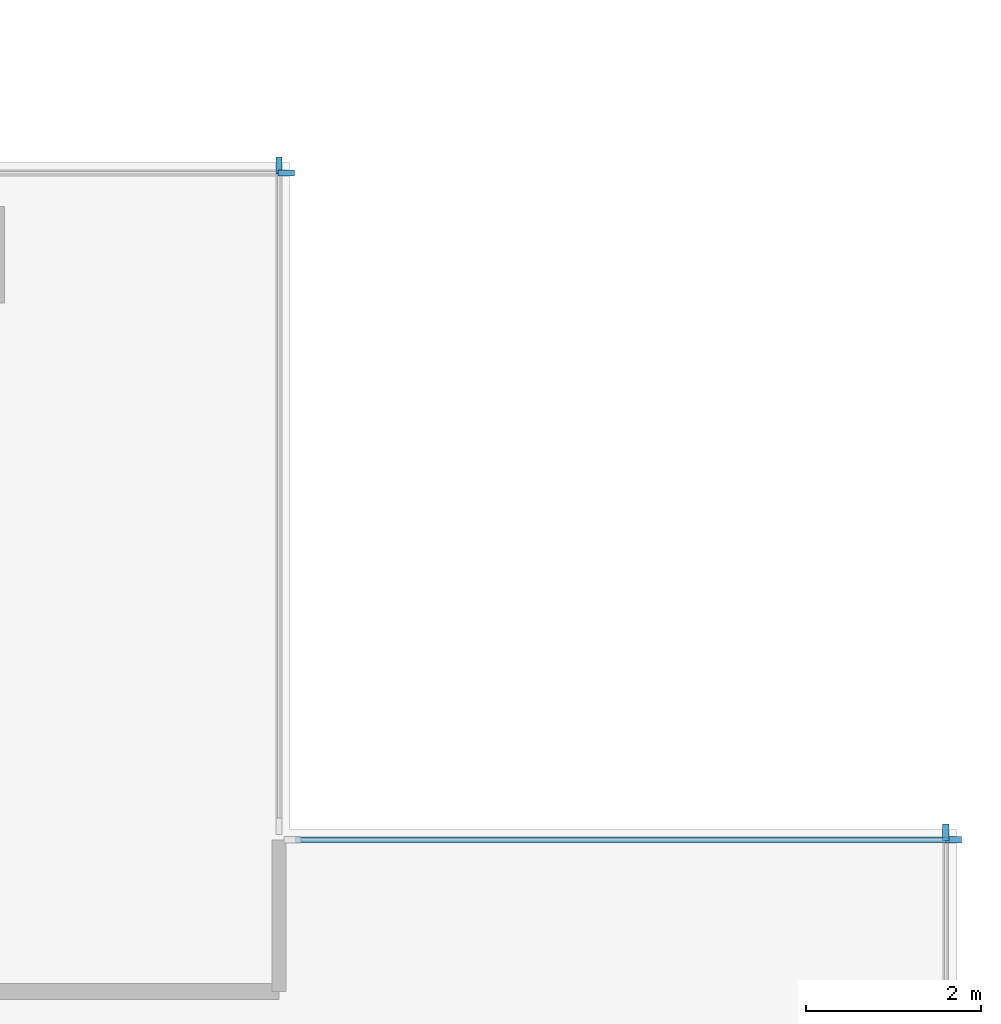
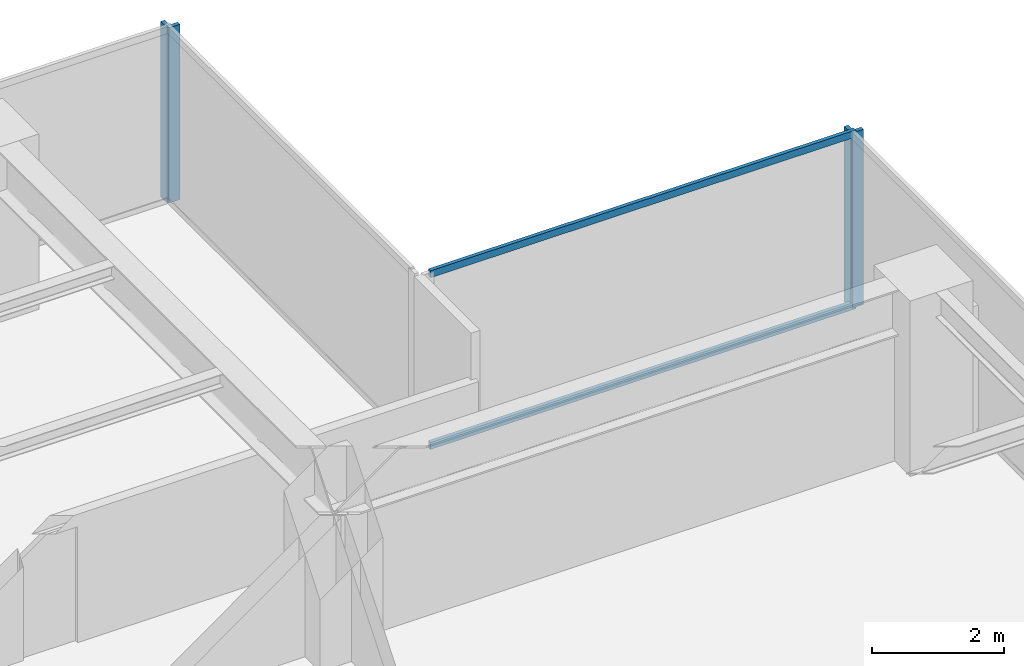
# One storey, part 5 of 14: 6 members, 4 elements without a shape of their own.
"""IFC4 building model written with IfcOpenShell, lengths in metres."""

from ifc_helpers import new_model, si_unit, direction, frame, origin, origin_2d, place, context, subcontext, project, spatial, rectangle, extrude, material, layer, layer_set, material_profile, profile_set, type_object, element, aggregate, save


model = new_model("IFC4")

# Units and contexts
model_context = context("Model", 3, precision=1e-05, world=origin(), true_north=direction((0.0, 1.0)))
body_context = subcontext(model_context, "Body", "Model", "MODEL_VIEW")
ifc_project = project(units=[si_unit("LENGTHUNIT", "METRE"), si_unit("AREAUNIT", "SQUARE_METRE"), si_unit("VOLUMEUNIT", "CUBIC_METRE"), si_unit("PLANEANGLEUNIT", "RADIAN"), si_unit("MASSUNIT", "GRAM", prefix="KILO")], contexts=[model_context])

# Site, building, storey
site_placement = place(None, origin())
site = spatial("IfcSite", under=ifc_project, at=site_placement, CompositionType="ELEMENT")
building_placement = place(site_placement, origin())
building = spatial("IfcBuilding", under=site, at=building_placement, Name="Qalmaran Belvedere Hotel", CompositionType="ELEMENT")
storey_placement = place(building_placement, frame((0.0, 0.0, 177.10009765625)))
storey = spatial("IfcBuildingStorey", under=building, at=storey_placement, Name="L45", CompositionType="ELEMENT", Elevation=177.10009765625)

# Curtain wall, member
ifc_material = material(Name="Anodised Bronze Aluminium", Category="aluminium")
ifc_layer = layer(ifc_material, 0.195068359375, Name="Anodised Bronze Aluminium")
ifc_layer_set = layer_set([ifc_layer], Name="Anodised Bronze Aluminium")
curtain_wall_type = type_object("IfcCurtainWallType", Name="CW4-TOWER-HIGHMID", PredefinedType="NOTDEFINED", material=ifc_layer_set)
curtain_wall_1_placement = place(storey_placement, origin())
curtain_wall_1 = element("IfcCurtainWall", 1, at=curtain_wall_1_placement, inside=storey, type_object=curtain_wall_type, Name="L45 Curtain Wall CW4", PredefinedType="NOTDEFINED")
ifc_material_profile_1 = material_profile(ifc_material, rectangle(XDim=0.070068359375, YDim=0.18994140625, at=origin_2d()), Name="CWM70X190")
ifc_profile_set_1 = profile_set([ifc_material_profile_1], Name="Anodised Bronze Aluminium")
member_type_1 = type_object("IfcMemberType", Name="CWM-70X190", PredefinedType="MULLION", material=ifc_profile_set_1)
member_1_placement = place(storey_placement, frame((56.080078125, 36.864990234375, 0.0), z_axis=(0.0, 0.0, 1.0), x_axis=(-1.0, 0.0, 0.0)))
member_1 = element("IfcMember", 2, at=member_1_placement, type_object=member_type_1, Name="CW4 mullion 4", PredefinedType="MULLION", context=body_context, shape_type="SweptSolid", body=[
    extrude(rectangle(XDim=0.070068359375, YDim=0.18994140625, at=origin_2d()), origin(), (0.0, 0.0, 1.0), 3.25),
])
aggregate(curtain_wall_1, [member_1])

curtain_wall_2_placement = place(storey_placement, origin())
curtain_wall_2 = element("IfcCurtainWall", 3, at=curtain_wall_2_placement, inside=storey, type_object=curtain_wall_type, Name="L45 Curtain Wall CW4", PredefinedType="NOTDEFINED")
member_2_placement = place(storey_placement, frame((56.1650390625, 36.780029296875, 0.0), z_axis=(0.0, 0.0, 1.0), x_axis=(0.0, -1.0, 0.0)))
member_2 = element("IfcMember", 4, at=member_2_placement, type_object=member_type_1, Name="CW4 mullion 1", PredefinedType="MULLION", context=body_context, shape_type="SweptSolid", body=[
    extrude(rectangle(XDim=0.070068359375, YDim=0.18994140625, at=origin_2d()), origin(), (0.0, 0.0, 1.0), 3.25),
])

curtain_wall_3_placement = place(storey_placement, origin())
curtain_wall_3 = element("IfcCurtainWall", 5, at=curtain_wall_3_placement, inside=storey, type_object=curtain_wall_type, Name="L45 Curtain Wall CW4", PredefinedType="NOTDEFINED")
member_3_placement = place(storey_placement, frame((48.47998046875, 44.465087890625, 0.0), z_axis=(0.0, 0.0, 1.0), x_axis=(-1.0, 0.0, 0.0)))
member_3 = element("IfcMember", 6, at=member_3_placement, type_object=member_type_1, Name="CW4 mullion 2", PredefinedType="MULLION", context=body_context, shape_type="SweptSolid", body=[
    extrude(rectangle(XDim=0.070068359375, YDim=0.18994140625, at=origin_2d()), origin(), (0.0, 0.0, 1.0), 3.25),
])
aggregate(curtain_wall_3, [member_3])

curtain_wall_4_placement = place(storey_placement, origin())
curtain_wall_4 = element("IfcCurtainWall", 7, at=curtain_wall_4_placement, inside=storey, type_object=curtain_wall_type, Name="L45 Curtain Wall CW4", PredefinedType="NOTDEFINED")
member_4_placement = place(storey_placement, frame((48.56494140625, 44.3798828125, 0.0), z_axis=(0.0, 0.0, 1.0), x_axis=(0.0, -1.0, 0.0)))
member_4 = element("IfcMember", 8, at=member_4_placement, type_object=member_type_1, Name="CW4 mullion 1", PredefinedType="MULLION", context=body_context, shape_type="SweptSolid", body=[
    extrude(rectangle(XDim=0.070068359375, YDim=0.18994140625, at=origin_2d()), origin(), (0.0, 0.0, 1.0), 3.25),
])
aggregate(curtain_wall_4, [member_4])

# Member
ifc_material_profile_2 = material_profile(ifc_material, rectangle(XDim=0.06494140625, YDim=0.1298828125, at=origin_2d()), Name="CWT65X130")
ifc_profile_set_2 = profile_set([ifc_material_profile_2], Name="Anodised Bronze Aluminium")
member_type_2 = type_object("IfcMemberType", Name="CWT-65X130", PredefinedType="USERDEFINED", material=ifc_profile_set_2)
member_5_placement = place(storey_placement, frame((56.1298828125, 36.780029296875, 0.032470703125), z_axis=(-1.0, 0.0, 0.0), x_axis=(0.0, -1.0, 0.0)))
member_5 = element("IfcMember", 9, at=member_5_placement, type_object=member_type_2, Name="CW4 transom 1.1", ObjectType="TRANSOM", PredefinedType="USERDEFINED", context=body_context, shape_type="SweptSolid", body=[
    extrude(rectangle(XDim=0.06494140625, YDim=0.1298828125, at=origin_2d()), origin(), (0.0, 0.0, 1.0), 7.4599609375),
])

member_6_placement = place(storey_placement, frame((56.1298828125, 36.780029296875, 3.21728515625), z_axis=(-1.0, 0.0, 0.0), x_axis=(0.0, -1.0, 0.0)))
member_6 = element("IfcMember", 10, at=member_6_placement, type_object=member_type_2, Name="CW4 transom 1.2", ObjectType="TRANSOM", PredefinedType="USERDEFINED", context=body_context, shape_type="SweptSolid", body=[
    extrude(rectangle(XDim=0.06494140625, YDim=0.1298828125, at=origin_2d()), origin(), (0.0, 0.0, 1.0), 7.4599609375),
])

aggregate(curtain_wall_2, [member_2, member_5, member_6])

save(model, "model.ifc")
